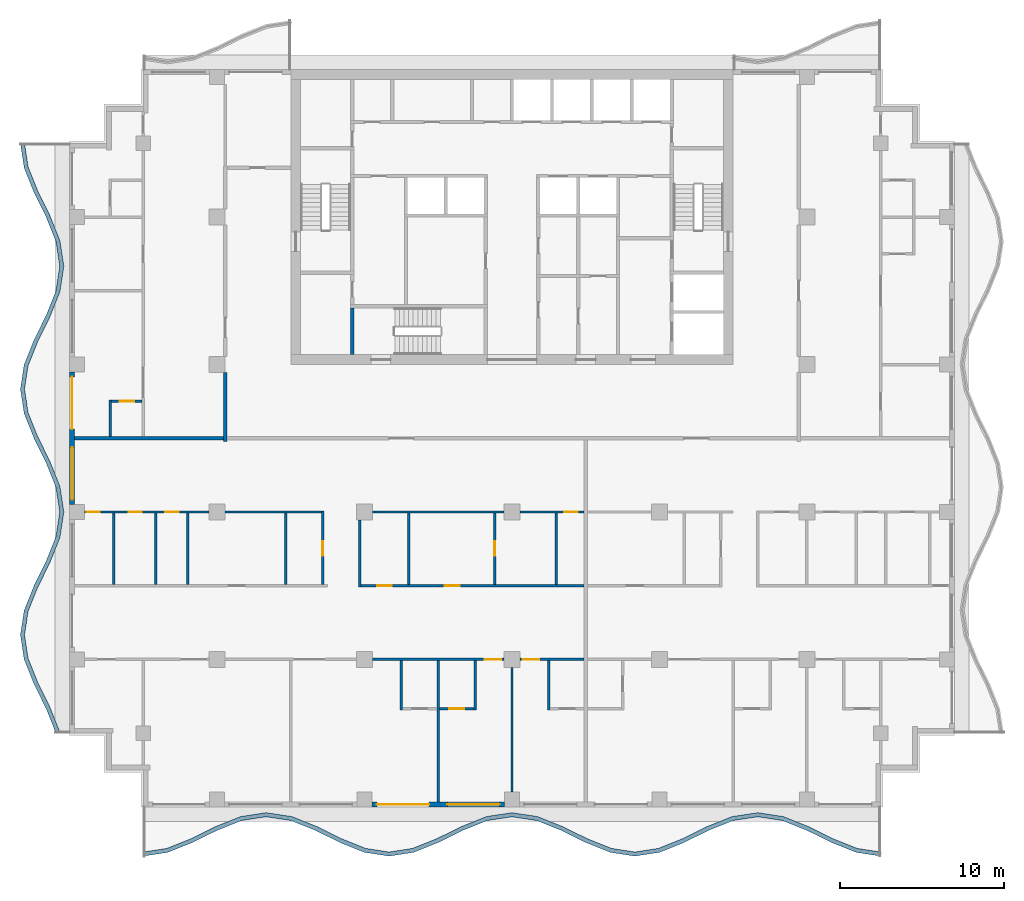
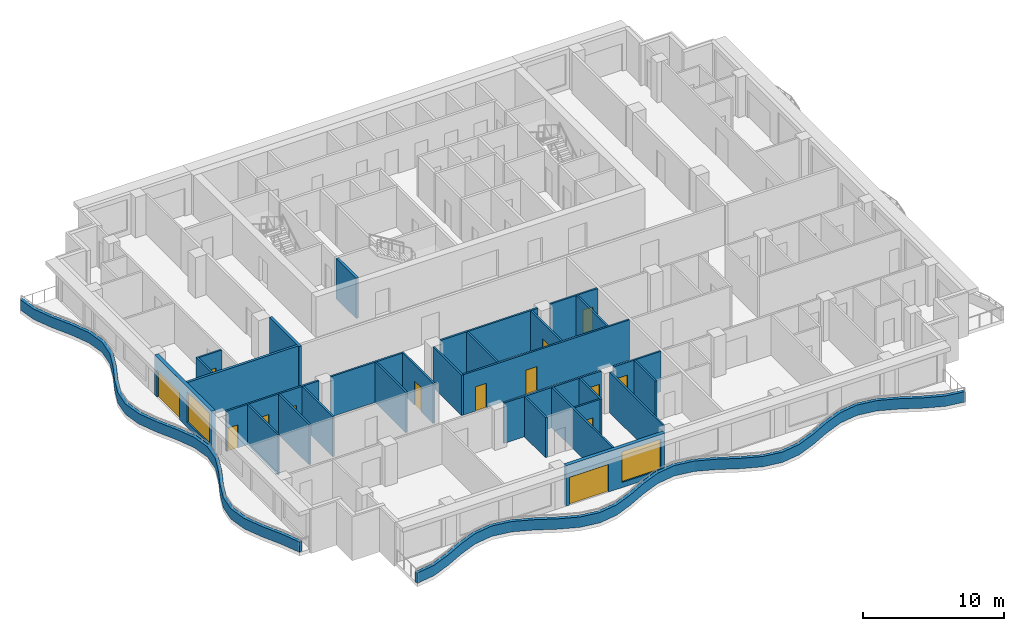
# One storey, part 2 of 11: 31 walls, 14 doors, 2 windows, 16 openings.
"""IFC4 building model written with IfcOpenShell, lengths in metres."""

from ifc_helpers import new_model, si_unit, direction, frame, frame_2d, origin, place, context, subcontext, project, spatial, polyline, rectangle, outline, extrude, material, layer, layer_set, type_object, element, fill, save


model = new_model("IFC4")

# Units and contexts
model_context = context("Model", 3, precision=1e-05, world=origin(), true_north=direction((0.0, 1.0)))
body_context = subcontext(model_context, "Body", "Model", "MODEL_VIEW")
ifc_project = project(units=[si_unit("LENGTHUNIT", "METRE"), si_unit("AREAUNIT", "SQUARE_METRE"), si_unit("VOLUMEUNIT", "CUBIC_METRE"), si_unit("PLANEANGLEUNIT", "RADIAN"), si_unit("MASSUNIT", "GRAM", prefix="KILO")], contexts=[model_context])

# Site, building, storey
site_placement = place(None, origin())
site = spatial("IfcSite", under=ifc_project, at=site_placement, CompositionType="ELEMENT")
building_placement = place(site_placement, origin())
building = spatial("IfcBuilding", under=site, at=building_placement, Name="Orbiselva Terraces", CompositionType="ELEMENT")
storey_placement = place(building_placement, frame((0.0, 0.0, 250.2)))
storey = spatial("IfcBuildingStorey", under=building, at=storey_placement, Name="L63", CompositionType="ELEMENT", Elevation=250.2)

# Walls
ifc_material_1 = material(Name="Concrete C60/75", Category="concrete")
ifc_layer_1 = layer(ifc_material_1, 0.2)
ifc_layer_set_1 = layer_set([ifc_layer_1], Name="Concrete C60/75")
wall_type_1 = type_object("IfcWallType", Name="CORE-WALL-SHEAR-200", PredefinedType="SHEAR", material=ifc_layer_set_1)
wall_1_placement = place(storey_placement, frame((-9.75, 5.1, 0.0), z_axis=(0.0, 0.0, 1.0), x_axis=(0.0, 1.0, 0.0)))
element("IfcWall", 1, at=wall_1_placement, inside=storey, type_object=wall_type_1, Name="L63 core wall 03", PredefinedType="SHEAR", context=body_context, shape_type="SweptSolid", body=[
    extrude(rectangle(XDim=2.85, YDim=0.2, at=frame_2d((1.425, 0.0))), origin(), (0.0, 0.0, 1.0), 3.5),
])
ifc_material_2 = material(Name="Concrete C40/50", Category="concrete")
ifc_layer_2 = layer(ifc_material_2, 0.25)
ifc_layer_set_2 = layer_set([ifc_layer_2], Name="Concrete C40/50")
wall_type_2 = type_object("IfcWallType", Name="ENV-PLANTER-250x900", PredefinedType="USERDEFINED", material=ifc_layer_set_2)
wall_2_placement = place(storey_placement, origin())
element("IfcWall", 2, at=wall_2_placement, inside=storey, type_object=wall_type_2, Name="Balcony planter L63 S", ObjectType="PLANTER", PredefinedType="USERDEFINED", context=body_context, shape_type="SweptSolid", body=[
    extrude(outline(polyline([(-22.5, -25.5), (-21.0, -25.27082), (-19.5, -24.67082), (-18.0, -23.92918), (-16.5, -23.32918), (-15.0, -23.1), (-13.5, -23.32918), (-12.0, -23.92918), (-10.5, -24.67082), (-9.0, -25.27082), (-7.5, -25.5), (-6.0, -25.27082), (-4.5, -24.67082), (-3.0, -23.92918), (-1.5, -23.32918), (0.0, -23.1), (1.5, -23.32918), (3.0, -23.92918), (4.5, -24.67082), (6.0, -25.27082), (7.5, -25.5), (9.0, -25.27082), (10.5, -24.67082), (12.0, -23.92918), (13.5, -23.32918), (15.0, -23.1), (16.5, -23.32918), (18.0, -23.92918), (19.5, -24.67082), (21.0, -25.27082), (22.5, -25.5), (22.537758, -25.252868), (21.066166, -25.028028), (19.601983, -24.442355), (18.101983, -23.700715), (16.566166, -23.086388), (15.0, -22.847099), (13.433834, -23.086388), (11.898017, -23.700715), (10.398017, -24.442355), (8.933834, -25.028028), (7.5, -25.247099), (6.066166, -25.028028), (4.601983, -24.442355), (3.101983, -23.700715), (1.566166, -23.086388), (0.0, -22.847099), (-1.566166, -23.086388), (-3.101983, -23.700715), (-4.601983, -24.442355), (-6.066166, -25.028028), (-7.5, -25.247099), (-8.933834, -25.028028), (-10.398017, -24.442355), (-11.898017, -23.700715), (-13.433834, -23.086388), (-15.0, -22.847099), (-16.566166, -23.086388), (-18.101983, -23.700715), (-19.601983, -24.442355), (-21.066166, -25.028028), (-22.537758, -25.252868), (-22.5, -25.5)])), origin(), (0.0, 0.0, 1.0), 0.9),
])
wall_3_placement = place(storey_placement, origin())
element("IfcWall", 3, at=wall_3_placement, inside=storey, type_object=wall_type_2, Name="Balcony planter L63 W", ObjectType="PLANTER", PredefinedType="USERDEFINED", context=body_context, shape_type="SweptSolid", body=[
    extrude(outline(polyline([(-30.0, 18.0), (-29.77082, 16.5), (-29.17082, 15.0), (-28.42918, 13.5), (-27.82918, 12.0), (-27.6, 10.5), (-27.82918, 9.0), (-28.42918, 7.5), (-29.17082, 6.0), (-29.77082, 4.5), (-30.0, 3.0), (-29.77082, 1.5), (-29.17082, 0.0), (-28.42918, -1.5), (-27.82918, -3.0), (-27.6, -4.5), (-27.82918, -6.0), (-28.42918, -7.5), (-29.17082, -9.0), (-29.77082, -10.5), (-30.0, -12.0), (-29.77082, -13.5), (-29.17082, -15.0), (-28.42918, -16.5), (-27.82918, -18.0), (-27.597061, -17.907152), (-28.200715, -16.398017), (-28.942355, -14.898017), (-29.528028, -13.433834), (-29.747099, -12.0), (-29.528028, -10.566166), (-28.942355, -9.101983), (-28.200715, -7.601983), (-27.586388, -6.066166), (-27.347099, -4.5), (-27.586388, -2.933834), (-28.200715, -1.398017), (-28.942355, 0.101983), (-29.528028, 1.566166), (-29.747099, 3.0), (-29.528028, 4.433834), (-28.942355, 5.898017), (-28.200715, 7.398017), (-27.586388, 8.933834), (-27.347099, 10.5), (-27.586388, 12.066166), (-28.200715, 13.601983), (-28.942355, 15.101983), (-29.528028, 16.566166), (-29.752868, 18.037758), (-30.0, 18.0)])), origin(), (0.0, 0.0, 1.0), 0.9),
])

# Wall, openings, door, window
ifc_material_3 = material(Name="Terracotta cladding on masonry backing", Category="masonry")
ifc_layer_3 = layer(ifc_material_3, 0.3)
ifc_layer_set_3 = layer_set([ifc_layer_3], Name="Terracotta cladding on masonry backing")
wall_type_3 = type_object("IfcWallType", Name="ENV-WALL-TERRACOTTA-300", PredefinedType="SOLIDWALL", material=ifc_layer_set_3)
wall_4_placement = place(storey_placement, frame((-0.45, -22.35, 0.0), z_axis=(0.0, 0.0, 1.0), x_axis=(-1.0, 0.0, 0.0)))
wall_4 = element("IfcWall", 4, at=wall_4_placement, inside=storey, type_object=wall_type_3, Name="Facade wall L63 S", PredefinedType="SOLIDWALL", context=body_context, shape_type="SweptSolid", body=[
    extrude(rectangle(XDim=8.1, YDim=0.3, at=frame_2d((4.05, 0.0))), origin(), (0.0, 0.0, 1.0), 3.5),
])
opening_1_placement = place(wall_4_placement, frame((4.6, 0.0, 0.0)))
opening_1 = element("IfcOpeningElement", 5, at=opening_1_placement, cuts=wall_4, Name="Opening Z5-B-E02", PredefinedType="OPENING", context=body_context, shape_type="SweptSolid", body=[
    extrude(rectangle(XDim=3.2, YDim=2.4, at=frame_2d((1.6, 1.2))), frame((0.0, 0.16, 0.0), z_axis=(0.0, -1.0, 0.0), x_axis=(1.0, 0.0, 0.0)), (0.0, 0.0, 1.0), 0.32),
])
opening_2_placement = place(wall_4_placement, frame((0.3, 0.0, 0.45)))
opening_2 = element("IfcOpeningElement", 6, at=opening_2_placement, cuts=wall_4, Name="Opening WN17", PredefinedType="OPENING", context=body_context, shape_type="SweptSolid", body=[
    extrude(rectangle(XDim=3.2, YDim=2.65, at=frame_2d((1.6, 1.325))), frame((0.0, 0.16, 0.0), z_axis=(0.0, -1.0, 0.0), x_axis=(1.0, 0.0, 0.0)), (0.0, 0.0, 1.0), 0.32),
])
ifc_material_4 = material(Name="Clear low-e glazing in aluminium frame", Category="aluminium")
door_type_1 = type_object("IfcDoorType", Name="BALCONY DOOR 3200 X 2400", OperationType="DOUBLE_DOOR_SLIDING", PredefinedType="DOOR", material=ifc_material_4)
door_1_placement = place(opening_1_placement, origin())
door_1 = element("IfcDoor", 7, at=door_1_placement, inside=storey, type_object=door_type_1, Name="Z5-B-E02", OperationType="SINGLE_SWING_LEFT", OverallHeight=2.4, OverallWidth=3.2, PredefinedType="DOOR", context=body_context, shape_type="SweptSolid", body=[
    extrude(rectangle(XDim=3.2, YDim=2.4, at=frame_2d((1.6, 1.2))), frame((0.0, 0.025, 0.0), z_axis=(0.0, -1.0, 0.0), x_axis=(1.0, 0.0, 0.0)), (0.0, 0.0, 1.0), 0.05),
])
fill(opening_1, door_1)
window_type = type_object("IfcWindowType", Name="WINDOW 3200 X 2650 S450", PartitioningType="TRIPLE_PANEL_VERTICAL", PredefinedType="WINDOW", material=ifc_material_4)
window_1_placement = place(opening_2_placement, origin())
window_1 = element("IfcWindow", 8, at=window_1_placement, inside=storey, type_object=window_type, Name="Window L63 S", OverallHeight=2.65, OverallWidth=3.2, PartitioningType="SINGLE_PANEL", PredefinedType="WINDOW", context=body_context, shape_type="SweptSolid", body=[
    extrude(rectangle(XDim=3.2, YDim=2.65, at=frame_2d((1.6, 1.325))), frame((0.0, 0.03, 0.0), z_axis=(0.0, -1.0, 0.0), x_axis=(1.0, 0.0, 0.0)), (0.0, 0.0, 1.0), 0.06),
])
fill(opening_2, window_1)

wall_5_placement = place(storey_placement, frame((-26.85, -4.05, 0.0), z_axis=(0.0, 0.0, 1.0), x_axis=(0.0, 1.0, 0.0)))
wall_5 = element("IfcWall", 9, at=wall_5_placement, inside=storey, type_object=wall_type_3, Name="Facade wall L63 W", PredefinedType="SOLIDWALL", context=body_context, shape_type="SweptSolid", body=[
    extrude(rectangle(XDim=8.1, YDim=0.3, at=frame_2d((4.05, 0.0))), origin(), (0.0, 0.0, 1.0), 3.5),
])
opening_3_placement = place(wall_5_placement, frame((4.6, 0.0, 0.0)))
opening_3 = element("IfcOpeningElement", 10, at=opening_3_placement, cuts=wall_5, Name="Opening Z5-B-E11", PredefinedType="OPENING", context=body_context, shape_type="SweptSolid", body=[
    extrude(rectangle(XDim=3.2, YDim=2.4, at=frame_2d((1.6, 1.2))), frame((0.0, 0.16, 0.0), z_axis=(0.0, -1.0, 0.0), x_axis=(1.0, 0.0, 0.0)), (0.0, 0.0, 1.0), 0.32),
])
opening_4_placement = place(wall_5_placement, frame((0.3, 0.0, 0.45)))
opening_4 = element("IfcOpeningElement", 11, at=opening_4_placement, cuts=wall_5, Name="Opening WN17", PredefinedType="OPENING", context=body_context, shape_type="SweptSolid", body=[
    extrude(rectangle(XDim=3.2, YDim=2.65, at=frame_2d((1.6, 1.325))), frame((0.0, 0.16, 0.0), z_axis=(0.0, -1.0, 0.0), x_axis=(1.0, 0.0, 0.0)), (0.0, 0.0, 1.0), 0.32),
])
door_2_placement = place(opening_3_placement, origin())
door_2 = element("IfcDoor", 12, at=door_2_placement, inside=storey, type_object=door_type_1, Name="Z5-B-E11", OperationType="SINGLE_SWING_LEFT", OverallHeight=2.4, OverallWidth=3.2, PredefinedType="DOOR", context=body_context, shape_type="SweptSolid", body=[
    extrude(rectangle(XDim=3.2, YDim=2.4, at=frame_2d((1.6, 1.2))), frame((0.0, 0.025, 0.0), z_axis=(0.0, -1.0, 0.0), x_axis=(1.0, 0.0, 0.0)), (0.0, 0.0, 1.0), 0.05),
])
fill(opening_3, door_2)
window_2_placement = place(opening_4_placement, origin())
window_2 = element("IfcWindow", 13, at=window_2_placement, inside=storey, type_object=window_type, Name="Window L63 W", OverallHeight=2.65, OverallWidth=3.2, PartitioningType="SINGLE_PANEL", PredefinedType="WINDOW", context=body_context, shape_type="SweptSolid", body=[
    extrude(rectangle(XDim=3.2, YDim=2.65, at=frame_2d((1.6, 1.325))), frame((0.0, 0.03, 0.0), z_axis=(0.0, -1.0, 0.0), x_axis=(1.0, 0.0, 0.0)), (0.0, 0.0, 1.0), 0.06),
])
fill(opening_4, window_2)

# Wall
ifc_material_5 = material(Name="Plasterboard on steel stud partition", Category="steel")
ifc_layer_4 = layer(ifc_material_5, 0.2)
ifc_layer_set_4 = layer_set([ifc_layer_4], Name="Plasterboard on steel stud partition")
wall_type_4 = type_object("IfcWallType", Name="UNIT-ENTRANCE-WALL-200", PredefinedType="PARTITIONING", material=ifc_layer_set_4)
wall_6_placement = place(storey_placement, frame((-17.5, -0.2, 0.0), z_axis=(0.0, 0.0, 1.0), x_axis=(0.0, 1.0, 0.0)))
element("IfcWall", 14, at=wall_6_placement, inside=storey, type_object=wall_type_4, Name="PARTITION L63-048", PredefinedType="PARTITIONING", context=body_context, shape_type="SweptSolid", body=[
    extrude(rectangle(XDim=4.2, YDim=0.2, at=frame_2d((2.1, 0.0))), origin(), (0.0, 0.0, 1.0), 3.5),
])

# Wall, opening, door
ifc_layer_5 = layer(ifc_material_5, 0.15)
ifc_layer_set_5 = layer_set([ifc_layer_5], Name="Plasterboard on steel stud partition")
wall_type_5 = type_object("IfcWallType", Name="UNIT-PARTITION-150", PredefinedType="PARTITIONING", material=ifc_layer_set_5)
wall_7_placement = place(storey_placement, frame((-4.425, -16.5, 0.0), z_axis=(0.0, 0.0, 1.0), x_axis=(1.0, 0.0, 0.0)))
wall_7 = element("IfcWall", 15, at=wall_7_placement, inside=storey, type_object=wall_type_5, Name="PARTITION L63-002", PredefinedType="PARTITIONING", context=body_context, shape_type="SweptSolid", body=[
    extrude(rectangle(XDim=2.1, YDim=0.15, at=frame_2d((1.05, 0.0))), origin(), (0.0, 0.0, 1.0), 3.5),
])
opening_5_placement = place(wall_7_placement, frame((0.6, 0.0, 0.0)))
opening_5 = element("IfcOpeningElement", 16, at=opening_5_placement, cuts=wall_7, Name="Opening Z5-B-29", PredefinedType="OPENING", context=body_context, shape_type="SweptSolid", body=[
    extrude(rectangle(XDim=0.9, YDim=2.1, at=frame_2d((0.45, 1.05))), frame((0.0, 0.085, 0.0), z_axis=(0.0, -1.0, 0.0), x_axis=(1.0, 0.0, 0.0)), (0.0, 0.0, 1.0), 0.17),
])
ifc_material_6 = material(Name="Painted timber door leaf", Category="wood")
door_type_2 = type_object("IfcDoorType", Name="BATH DOOR 900", OperationType="NOTDEFINED", PredefinedType="DOOR", material=ifc_material_6)
door_3_placement = place(opening_5_placement, origin())
door_3 = element("IfcDoor", 17, at=door_3_placement, inside=storey, type_object=door_type_2, Name="Z5-B-29", OperationType="SINGLE_SWING_RIGHT", OverallHeight=2.1, OverallWidth=0.9, PredefinedType="DOOR", context=body_context, shape_type="SweptSolid", body=[
    extrude(rectangle(XDim=0.9, YDim=2.1, at=frame_2d((0.45, 1.05))), frame((0.0, 0.025, 0.0), z_axis=(0.0, -1.0, 0.0), x_axis=(1.0, 0.0, 0.0)), (0.0, 0.0, 1.0), 0.05),
])
fill(opening_5, door_3)

wall_8_placement = place(storey_placement, frame((-0.5, -13.5, 0.0), z_axis=(0.0, 0.0, 1.0), x_axis=(-1.0, 0.0, 0.0)))
wall_8 = element("IfcWall", 18, at=wall_8_placement, inside=storey, type_object=wall_type_5, Name="PARTITION L63-009", PredefinedType="PARTITIONING", context=body_context, shape_type="SweptSolid", body=[
    extrude(rectangle(XDim=8.0, YDim=0.15, at=frame_2d((4.0, 0.0))), origin(), (0.0, 0.0, 1.0), 3.5),
])
opening_6_placement = place(wall_8_placement, frame((0.15, 0.0, 0.0)))
opening_6 = element("IfcOpeningElement", 19, at=opening_6_placement, cuts=wall_8, Name="Opening Z5-B-28", PredefinedType="OPENING", context=body_context, shape_type="SweptSolid", body=[
    extrude(rectangle(XDim=1.0, YDim=2.4, at=frame_2d((0.5, 1.2))), frame((0.0, 0.085, 0.0), z_axis=(0.0, -1.0, 0.0), x_axis=(1.0, 0.0, 0.0)), (0.0, 0.0, 1.0), 0.17),
])
door_type_3 = type_object("IfcDoorType", Name="ROOM DOOR 1000", OperationType="NOTDEFINED", PredefinedType="DOOR", material=ifc_material_6)
door_4_placement = place(opening_6_placement, origin())
door_4 = element("IfcDoor", 20, at=door_4_placement, inside=storey, type_object=door_type_3, Name="Z5-B-28", OperationType="SINGLE_SWING_LEFT", OverallHeight=2.4, OverallWidth=1.0, PredefinedType="DOOR", context=body_context, shape_type="SweptSolid", body=[
    extrude(rectangle(XDim=1.0, YDim=2.4, at=frame_2d((0.5, 1.2))), frame((0.0, 0.025, 0.0), z_axis=(0.0, -1.0, 0.0), x_axis=(1.0, 0.0, 0.0)), (0.0, 0.0, 1.0), 0.05),
])
fill(opening_6, door_4)

wall_9_placement = place(storey_placement, frame((4.4, -13.5, 0.0), z_axis=(0.0, 0.0, 1.0), x_axis=(-1.0, 0.0, 0.0)))
wall_9 = element("IfcWall", 21, at=wall_9_placement, inside=storey, type_object=wall_type_5, Name="PARTITION L63-010", PredefinedType="PARTITIONING", context=body_context, shape_type="SweptSolid", body=[
    extrude(rectangle(XDim=3.9, YDim=0.15, at=frame_2d((1.95, 0.0))), origin(), (0.0, 0.0, 1.0), 3.5),
])
opening_7_placement = place(wall_9_placement, frame((2.75, 0.0, 0.0)))
opening_7 = element("IfcOpeningElement", 22, at=opening_7_placement, cuts=wall_9, Name="Opening Z5-B-30", PredefinedType="OPENING", context=body_context, shape_type="SweptSolid", body=[
    extrude(rectangle(XDim=1.0, YDim=2.4, at=frame_2d((0.5, 1.2))), frame((0.0, 0.085, 0.0), z_axis=(0.0, -1.0, 0.0), x_axis=(1.0, 0.0, 0.0)), (0.0, 0.0, 1.0), 0.17),
])
door_5_placement = place(opening_7_placement, origin())
door_5 = element("IfcDoor", 23, at=door_5_placement, inside=storey, type_object=door_type_3, Name="Z5-B-30", OperationType="SINGLE_SWING_RIGHT", OverallHeight=2.4, OverallWidth=1.0, PredefinedType="DOOR", context=body_context, shape_type="SweptSolid", body=[
    extrude(rectangle(XDim=1.0, YDim=2.4, at=frame_2d((0.5, 1.2))), frame((0.0, 0.025, 0.0), z_axis=(0.0, -1.0, 0.0), x_axis=(1.0, 0.0, 0.0)), (0.0, 0.0, 1.0), 0.05),
])
fill(opening_7, door_5)

# Wall, openings, doors
wall_10_placement = place(storey_placement, frame((-9.225, -9.0, 0.0), z_axis=(0.0, 0.0, 1.0), x_axis=(1.0, 0.0, 0.0)))
wall_10 = element("IfcWall", 24, at=wall_10_placement, inside=storey, type_object=wall_type_5, Name="PARTITION L63-015", PredefinedType="PARTITIONING", context=body_context, shape_type="SweptSolid", body=[
    extrude(rectangle(XDim=13.625, YDim=0.15, at=frame_2d((6.8125, 0.0))), origin(), (0.0, 0.0, 1.0), 3.5),
])
opening_8_placement = place(wall_10_placement, frame((1.0, 0.0, 0.0)))
opening_8 = element("IfcOpeningElement", 25, at=opening_8_placement, cuts=wall_10, Name="Opening Z5-B-20", PredefinedType="OPENING", context=body_context, shape_type="SweptSolid", body=[
    extrude(rectangle(XDim=0.9, YDim=2.1, at=frame_2d((0.45, 1.05))), frame((0.0, 0.085, 0.0), z_axis=(0.0, -1.0, 0.0), x_axis=(1.0, 0.0, 0.0)), (0.0, 0.0, 1.0), 0.17),
])
opening_9_placement = place(wall_10_placement, frame((5.125, 0.0, 0.0)))
opening_9 = element("IfcOpeningElement", 26, at=opening_9_placement, cuts=wall_10, Name="Opening Z5-B-21", PredefinedType="OPENING", context=body_context, shape_type="SweptSolid", body=[
    extrude(rectangle(XDim=0.9, YDim=2.1, at=frame_2d((0.45, 1.05))), frame((0.0, 0.085, 0.0), z_axis=(0.0, -1.0, 0.0), x_axis=(1.0, 0.0, 0.0)), (0.0, 0.0, 1.0), 0.17),
])
door_type_4 = type_object("IfcDoorType", Name="SERVICE DOOR 900", OperationType="NOTDEFINED", PredefinedType="DOOR", material=ifc_material_6)
door_6_placement = place(opening_8_placement, origin())
door_6 = element("IfcDoor", 27, at=door_6_placement, inside=storey, type_object=door_type_4, Name="Z5-B-20", OperationType="SINGLE_SWING_LEFT", OverallHeight=2.1, OverallWidth=0.9, PredefinedType="DOOR", context=body_context, shape_type="SweptSolid", body=[
    extrude(rectangle(XDim=0.9, YDim=2.1, at=frame_2d((0.45, 1.05))), frame((0.0, 0.025, 0.0), z_axis=(0.0, -1.0, 0.0), x_axis=(1.0, 0.0, 0.0)), (0.0, 0.0, 1.0), 0.05),
])
fill(opening_8, door_6)
door_7_placement = place(opening_9_placement, origin())
door_7 = element("IfcDoor", 28, at=door_7_placement, inside=storey, type_object=door_type_4, Name="Z5-B-21", OperationType="SINGLE_SWING_LEFT", OverallHeight=2.1, OverallWidth=0.9, PredefinedType="DOOR", context=body_context, shape_type="SweptSolid", body=[
    extrude(rectangle(XDim=0.9, YDim=2.1, at=frame_2d((0.45, 1.05))), frame((0.0, 0.025, 0.0), z_axis=(0.0, -1.0, 0.0), x_axis=(1.0, 0.0, 0.0)), (0.0, 0.0, 1.0), 0.05),
])
fill(opening_9, door_7)

wall_11_placement = place(storey_placement, frame((-18.5, -4.5, 0.0), z_axis=(0.0, 0.0, 1.0), x_axis=(-1.0, 0.0, 0.0)))
wall_11 = element("IfcWall", 29, at=wall_11_placement, inside=storey, type_object=wall_type_5, Name="PARTITION L63-018", PredefinedType="PARTITIONING", context=body_context, shape_type="SweptSolid", body=[
    extrude(rectangle(XDim=7.6, YDim=0.15, at=frame_2d((3.8, 0.0))), origin(), (0.0, 0.0, 1.0), 3.5),
])
opening_10_placement = place(wall_11_placement, frame((6.65, 0.0, 0.0)))
opening_10 = element("IfcOpeningElement", 30, at=opening_10_placement, cuts=wall_11, Name="Opening Z5-B-15", PredefinedType="OPENING", context=body_context, shape_type="SweptSolid", body=[
    extrude(rectangle(XDim=0.8, YDim=2.0, at=frame_2d((0.4, 1.0))), frame((0.0, 0.085, 0.0), z_axis=(0.0, -1.0, 0.0), x_axis=(1.0, 0.0, 0.0)), (0.0, 0.0, 1.0), 0.17),
])
opening_11_placement = place(wall_11_placement, frame((4.1, 0.0, 0.0)))
opening_11 = element("IfcOpeningElement", 31, at=opening_11_placement, cuts=wall_11, Name="Opening Z5-B-16", PredefinedType="OPENING", context=body_context, shape_type="SweptSolid", body=[
    extrude(rectangle(XDim=0.8, YDim=2.0, at=frame_2d((0.4, 1.0))), frame((0.0, 0.085, 0.0), z_axis=(0.0, -1.0, 0.0), x_axis=(1.0, 0.0, 0.0)), (0.0, 0.0, 1.0), 0.17),
])
opening_12_placement = place(wall_11_placement, frame((1.85, 0.0, 0.0)))
opening_12 = element("IfcOpeningElement", 32, at=opening_12_placement, cuts=wall_11, Name="Opening Z5-B-17", PredefinedType="OPENING", context=body_context, shape_type="SweptSolid", body=[
    extrude(rectangle(XDim=0.8, YDim=2.0, at=frame_2d((0.4, 1.0))), frame((0.0, 0.085, 0.0), z_axis=(0.0, -1.0, 0.0), x_axis=(1.0, 0.0, 0.0)), (0.0, 0.0, 1.0), 0.17),
])
door_type_5 = type_object("IfcDoorType", Name="STORE DOOR 800", OperationType="NOTDEFINED", PredefinedType="DOOR", material=ifc_material_6)
door_8_placement = place(opening_10_placement, origin())
door_8 = element("IfcDoor", 33, at=door_8_placement, inside=storey, type_object=door_type_5, Name="Z5-B-15", OperationType="SINGLE_SWING_RIGHT", OverallHeight=2.0, OverallWidth=0.8, PredefinedType="DOOR", context=body_context, shape_type="SweptSolid", body=[
    extrude(rectangle(XDim=0.8, YDim=2.0, at=frame_2d((0.4, 1.0))), frame((0.0, 0.025, 0.0), z_axis=(0.0, -1.0, 0.0), x_axis=(1.0, 0.0, 0.0)), (0.0, 0.0, 1.0), 0.05),
])
fill(opening_10, door_8)
door_9_placement = place(opening_11_placement, origin())
door_9 = element("IfcDoor", 34, at=door_9_placement, inside=storey, type_object=door_type_5, Name="Z5-B-16", OperationType="SINGLE_SWING_RIGHT", OverallHeight=2.0, OverallWidth=0.8, PredefinedType="DOOR", context=body_context, shape_type="SweptSolid", body=[
    extrude(rectangle(XDim=0.8, YDim=2.0, at=frame_2d((0.4, 1.0))), frame((0.0, 0.025, 0.0), z_axis=(0.0, -1.0, 0.0), x_axis=(1.0, 0.0, 0.0)), (0.0, 0.0, 1.0), 0.05),
])
fill(opening_11, door_9)
door_10_placement = place(opening_12_placement, origin())
door_10 = element("IfcDoor", 35, at=door_10_placement, inside=storey, type_object=door_type_5, Name="Z5-B-17", OperationType="SINGLE_SWING_LEFT", OverallHeight=2.0, OverallWidth=0.8, PredefinedType="DOOR", context=body_context, shape_type="SweptSolid", body=[
    extrude(rectangle(XDim=0.8, YDim=2.0, at=frame_2d((0.4, 1.0))), frame((0.0, 0.025, 0.0), z_axis=(0.0, -1.0, 0.0), x_axis=(1.0, 0.0, 0.0)), (0.0, 0.0, 1.0), 0.05),
])
fill(opening_12, door_10)

# Walls
wall_12_placement = place(storey_placement, frame((-17.5, -4.5, 0.0), z_axis=(0.0, 0.0, 1.0), x_axis=(1.0, 0.0, 0.0)))
element("IfcWall", 36, at=wall_12_placement, inside=storey, type_object=wall_type_5, Name="PARTITION L63-019", PredefinedType="PARTITIONING", context=body_context, shape_type="SweptSolid", body=[
    extrude(rectangle(XDim=5.875, YDim=0.15, at=frame_2d((2.9375, 0.0))), origin(), (0.0, 0.0, 1.0), 3.5),
])
wall_13_placement = place(storey_placement, frame((-8.5, -4.5, 0.0), z_axis=(0.0, 0.0, 1.0), x_axis=(1.0, 0.0, 0.0)))
element("IfcWall", 37, at=wall_13_placement, inside=storey, type_object=wall_type_5, Name="PARTITION L63-020", PredefinedType="PARTITIONING", context=body_context, shape_type="SweptSolid", body=[
    extrude(rectangle(XDim=8.0, YDim=0.15, at=frame_2d((4.0, 0.0))), origin(), (0.0, 0.0, 1.0), 3.5),
])

# Wall, opening, door
wall_14_placement = place(storey_placement, frame((4.4, -4.5, 0.0), z_axis=(0.0, 0.0, 1.0), x_axis=(-1.0, 0.0, 0.0)))
wall_14 = element("IfcWall", 38, at=wall_14_placement, inside=storey, type_object=wall_type_5, Name="PARTITION L63-021", PredefinedType="PARTITIONING", context=body_context, shape_type="SweptSolid", body=[
    extrude(rectangle(XDim=3.9, YDim=0.15, at=frame_2d((1.95, 0.0))), origin(), (0.0, 0.0, 1.0), 3.5),
])
opening_13_placement = place(wall_14_placement, frame((0.4, 0.0, 0.0)))
opening_13 = element("IfcOpeningElement", 39, at=opening_13_placement, cuts=wall_14, Name="Opening Z5-B-23", PredefinedType="OPENING", context=body_context, shape_type="SweptSolid", body=[
    extrude(rectangle(XDim=0.8, YDim=2.0, at=frame_2d((0.4, 1.0))), frame((0.0, 0.085, 0.0), z_axis=(0.0, -1.0, 0.0), x_axis=(1.0, 0.0, 0.0)), (0.0, 0.0, 1.0), 0.17),
])
door_11_placement = place(opening_13_placement, origin())
door_11 = element("IfcDoor", 40, at=door_11_placement, inside=storey, type_object=door_type_5, Name="Z5-B-23", OperationType="SINGLE_SWING_LEFT", OverallHeight=2.0, OverallWidth=0.8, PredefinedType="DOOR", context=body_context, shape_type="SweptSolid", body=[
    extrude(rectangle(XDim=0.8, YDim=2.0, at=frame_2d((0.4, 1.0))), frame((0.0, 0.025, 0.0), z_axis=(0.0, -1.0, 0.0), x_axis=(1.0, 0.0, 0.0)), (0.0, 0.0, 1.0), 0.05),
])
fill(opening_13, door_11)

wall_15_placement = place(storey_placement, frame((-22.575, 2.25, 0.0), z_axis=(0.0, 0.0, 1.0), x_axis=(-1.0, 0.0, 0.0)))
wall_15 = element("IfcWall", 41, at=wall_15_placement, inside=storey, type_object=wall_type_5, Name="PARTITION L63-029", PredefinedType="PARTITIONING", context=body_context, shape_type="SweptSolid", body=[
    extrude(rectangle(XDim=1.875, YDim=0.15, at=frame_2d((0.9375, 0.0))), origin(), (0.0, 0.0, 1.0), 3.5),
])
opening_14_placement = place(wall_15_placement, frame((0.475, 0.0, 0.0)))
opening_14 = element("IfcOpeningElement", 42, at=opening_14_placement, cuts=wall_15, Name="Opening Z5-B-04", PredefinedType="OPENING", context=body_context, shape_type="SweptSolid", body=[
    extrude(rectangle(XDim=0.9, YDim=2.1, at=frame_2d((0.45, 1.05))), frame((0.0, 0.085, 0.0), z_axis=(0.0, -1.0, 0.0), x_axis=(1.0, 0.0, 0.0)), (0.0, 0.0, 1.0), 0.17),
])
door_12_placement = place(opening_14_placement, origin())
door_12 = element("IfcDoor", 43, at=door_12_placement, inside=storey, type_object=door_type_2, Name="Z5-B-04", OperationType="SINGLE_SWING_LEFT", OverallHeight=2.1, OverallWidth=0.9, PredefinedType="DOOR", context=body_context, shape_type="SweptSolid", body=[
    extrude(rectangle(XDim=0.9, YDim=2.1, at=frame_2d((0.45, 1.05))), frame((0.0, 0.025, 0.0), z_axis=(0.0, -1.0, 0.0), x_axis=(1.0, 0.0, 0.0)), (0.0, 0.0, 1.0), 0.05),
])
fill(opening_14, door_12)

# Walls
wall_16_placement = place(storey_placement, frame((-24.525, 0.1, 0.0), z_axis=(0.0, 0.0, 1.0), x_axis=(0.0, 1.0, 0.0)))
element("IfcWall", 44, at=wall_16_placement, inside=storey, type_object=wall_type_5, Name="PARTITION L63-039", PredefinedType="PARTITIONING", context=body_context, shape_type="SweptSolid", body=[
    extrude(rectangle(XDim=2.225, YDim=0.15, at=frame_2d((1.1125, 0.0))), origin(), (0.0, 0.0, 1.0), 3.5),
])
for number, where, z_axis, x_axis, name in (
    (45, (-24.3, -8.925, 0.0), (0.0, 0.0, 1.0), (0.0, 1.0, 0.0), "PARTITION L63-041"),
    (46, (-21.75, -8.925, 0.0), (0.0, 0.0, 1.0), (0.0, 1.0, 0.0), "PARTITION L63-046"),
    (47, (-19.8, -8.925, 0.0), (0.0, 0.0, 1.0), (0.0, 1.0, 0.0), "PARTITION L63-047"),
    (48, (-13.8, -8.925, 0.0), (0.0, 0.0, 1.0), (0.0, 1.0, 0.0), "PARTITION L63-052"),
):
    element("IfcWall", number, at=place(storey_placement, frame(where, z_axis=z_axis, x_axis=x_axis)), inside=storey, type_object=wall_type_5, Name=name, PredefinedType="PARTITIONING", context=body_context, shape_type="SweptSolid", body=[
        extrude(rectangle(XDim=4.35, YDim=0.15, at=frame_2d((2.175, 0.0))), origin(), (0.0, 0.0, 1.0), 3.5),
    ])

# Wall, opening, door
wall_17_placement = place(storey_placement, frame((-11.55, -8.925, 0.0), z_axis=(0.0, 0.0, 1.0), x_axis=(0.0, 1.0, 0.0)))
wall_17 = element("IfcWall", 49, at=wall_17_placement, inside=storey, type_object=wall_type_5, Name="PARTITION L63-054", PredefinedType="PARTITIONING", context=body_context, shape_type="SweptSolid", body=[
    extrude(rectangle(XDim=4.5, YDim=0.15, at=frame_2d((2.25, 0.0))), origin(), (0.0, 0.0, 1.0), 3.5),
])
opening_15_placement = place(wall_17_placement, frame((1.75, 0.0, 0.0)))
opening_15 = element("IfcOpeningElement", 50, at=opening_15_placement, cuts=wall_17, Name="Opening Z5-B-19", PredefinedType="OPENING", context=body_context, shape_type="SweptSolid", body=[
    extrude(rectangle(XDim=0.9, YDim=2.1, at=frame_2d((0.45, 1.05))), frame((0.0, 0.085, 0.0), z_axis=(0.0, -1.0, 0.0), x_axis=(1.0, 0.0, 0.0)), (0.0, 0.0, 1.0), 0.17),
])
door_13_placement = place(opening_15_placement, origin())
door_13 = element("IfcDoor", 51, at=door_13_placement, inside=storey, type_object=door_type_2, Name="Z5-B-19", OperationType="SINGLE_SWING_LEFT", OverallHeight=2.1, OverallWidth=0.9, PredefinedType="DOOR", context=body_context, shape_type="SweptSolid", body=[
    extrude(rectangle(XDim=0.9, YDim=2.1, at=frame_2d((0.45, 1.05))), frame((0.0, 0.025, 0.0), z_axis=(0.0, -1.0, 0.0), x_axis=(1.0, 0.0, 0.0)), (0.0, 0.0, 1.0), 0.05),
])
fill(opening_15, door_13)

# Walls
wall_18_placement = place(storey_placement, frame((-9.3, -9.075, 0.0), z_axis=(0.0, 0.0, 1.0), x_axis=(0.0, 1.0, 0.0)))
element("IfcWall", 52, at=wall_18_placement, inside=storey, type_object=wall_type_5, Name="PARTITION L63-055", PredefinedType="PARTITIONING", context=body_context, shape_type="SweptSolid", body=[
    extrude(rectangle(XDim=4.075, YDim=0.15, at=frame_2d((2.0375, 0.0))), origin(), (0.0, 0.0, 1.0), 3.5),
])
wall_19_placement = place(storey_placement, frame((-6.75, -16.575, 0.0), z_axis=(0.0, 0.0, 1.0), x_axis=(0.0, 1.0, 0.0)))
element("IfcWall", 53, at=wall_19_placement, inside=storey, type_object=wall_type_5, Name="PARTITION L63-056", PredefinedType="PARTITIONING", context=body_context, shape_type="SweptSolid", body=[
    extrude(rectangle(XDim=3.0, YDim=0.15, at=frame_2d((1.5, 0.0))), origin(), (0.0, 0.0, 1.0), 3.5),
])
wall_20_placement = place(storey_placement, frame((-6.3, -8.925, 0.0), z_axis=(0.0, 0.0, 1.0), x_axis=(0.0, 1.0, 0.0)))
element("IfcWall", 54, at=wall_20_placement, inside=storey, type_object=wall_type_5, Name="PARTITION L63-057", PredefinedType="PARTITIONING", context=body_context, shape_type="SweptSolid", body=[
    extrude(rectangle(XDim=4.35, YDim=0.15, at=frame_2d((2.175, 0.0))), origin(), (0.0, 0.0, 1.0), 3.5),
])
wall_21_placement = place(storey_placement, frame((-4.5, -22.2, 0.0), z_axis=(0.0, 0.0, 1.0), x_axis=(0.0, 1.0, 0.0)))
element("IfcWall", 55, at=wall_21_placement, inside=storey, type_object=wall_type_5, Name="PARTITION L63-058", PredefinedType="PARTITIONING", context=body_context, shape_type="SweptSolid", body=[
    extrude(rectangle(XDim=8.625, YDim=0.15, at=frame_2d((4.3125, 0.0))), origin(), (0.0, 0.0, 1.0), 3.5),
])
wall_22_placement = place(storey_placement, frame((-2.25, -16.575, 0.0), z_axis=(0.0, 0.0, 1.0), x_axis=(0.0, 1.0, 0.0)))
element("IfcWall", 56, at=wall_22_placement, inside=storey, type_object=wall_type_5, Name="PARTITION L63-059", PredefinedType="PARTITIONING", context=body_context, shape_type="SweptSolid", body=[
    extrude(rectangle(XDim=3.0, YDim=0.15, at=frame_2d((1.5, 0.0))), origin(), (0.0, 0.0, 1.0), 3.5),
])

# Wall, opening, door
wall_23_placement = place(storey_placement, frame((-1.05, -4.575, 0.0), z_axis=(0.0, 0.0, 1.0), x_axis=(0.0, -1.0, 0.0)))
wall_23 = element("IfcWall", 57, at=wall_23_placement, inside=storey, type_object=wall_type_5, Name="PARTITION L63-060", PredefinedType="PARTITIONING", context=body_context, shape_type="SweptSolid", body=[
    extrude(rectangle(XDim=4.35, YDim=0.15, at=frame_2d((2.175, 0.0))), origin(), (0.0, 0.0, 1.0), 3.5),
])
opening_16_placement = place(wall_23_placement, frame((1.7, 0.0, 0.0)))
opening_16 = element("IfcOpeningElement", 58, at=opening_16_placement, cuts=wall_23, Name="Opening Z5-B-22", PredefinedType="OPENING", context=body_context, shape_type="SweptSolid", body=[
    extrude(rectangle(XDim=0.9, YDim=2.1, at=frame_2d((0.45, 1.05))), frame((0.0, 0.085, 0.0), z_axis=(0.0, -1.0, 0.0), x_axis=(1.0, 0.0, 0.0)), (0.0, 0.0, 1.0), 0.17),
])
door_14_placement = place(opening_16_placement, origin())
door_14 = element("IfcDoor", 59, at=door_14_placement, inside=storey, type_object=door_type_2, Name="Z5-B-22", OperationType="SINGLE_SWING_LEFT", OverallHeight=2.1, OverallWidth=0.9, PredefinedType="DOOR", context=body_context, shape_type="SweptSolid", body=[
    extrude(rectangle(XDim=0.9, YDim=2.1, at=frame_2d((0.45, 1.05))), frame((0.0, 0.025, 0.0), z_axis=(0.0, -1.0, 0.0), x_axis=(1.0, 0.0, 0.0)), (0.0, 0.0, 1.0), 0.05),
])
fill(opening_16, door_14)

# Walls
wall_24_placement = place(storey_placement, frame((0.0, -21.6, 0.0), z_axis=(0.0, 0.0, 1.0), x_axis=(0.0, 1.0, 0.0)))
element("IfcWall", 60, at=wall_24_placement, inside=storey, type_object=wall_type_5, Name="PARTITION L63-061", PredefinedType="PARTITIONING", context=body_context, shape_type="SweptSolid", body=[
    extrude(rectangle(XDim=7.6, YDim=0.15, at=frame_2d((3.8, 0.0))), origin(), (0.0, 0.0, 1.0), 3.5),
])
wall_25_placement = place(storey_placement, frame((2.25, -16.575, 0.0), z_axis=(0.0, 0.0, 1.0), x_axis=(0.0, 1.0, 0.0)))
element("IfcWall", 61, at=wall_25_placement, inside=storey, type_object=wall_type_5, Name="PARTITION L63-062", PredefinedType="PARTITIONING", context=body_context, shape_type="SweptSolid", body=[
    extrude(rectangle(XDim=3.0, YDim=0.15, at=frame_2d((1.5, 0.0))), origin(), (0.0, 0.0, 1.0), 3.5),
])
wall_26_placement = place(storey_placement, frame((2.7, -8.925, 0.0), z_axis=(0.0, 0.0, 1.0), x_axis=(0.0, 1.0, 0.0)))
element("IfcWall", 62, at=wall_26_placement, inside=storey, type_object=wall_type_5, Name="PARTITION L63-063", PredefinedType="PARTITIONING", context=body_context, shape_type="SweptSolid", body=[
    extrude(rectangle(XDim=4.35, YDim=0.15, at=frame_2d((2.175, 0.0))), origin(), (0.0, 0.0, 1.0), 3.5),
])
ifc_layer_6 = layer(ifc_material_5, 0.2)
ifc_layer_set_6 = layer_set([ifc_layer_6], Name="Plasterboard on steel stud partition")
wall_type_6 = type_object("IfcWallType", Name="UNIT-PARTY-WALL-200", PredefinedType="PARTITIONING", material=ifc_layer_set_6)
wall_27_placement = place(storey_placement, frame((-26.7, 0.0, 0.0), z_axis=(0.0, 0.0, 1.0), x_axis=(1.0, 0.0, 0.0)))
element("IfcWall", 63, at=wall_27_placement, inside=storey, type_object=wall_type_6, Name="PARTITION L63-027", PredefinedType="PARTITIONING", context=body_context, shape_type="SweptSolid", body=[
    extrude(rectangle(XDim=9.1, YDim=0.2, at=frame_2d((4.55, 0.0))), origin(), (0.0, 0.0, 1.0), 3.5),
])

save(model, "model.ifc")
